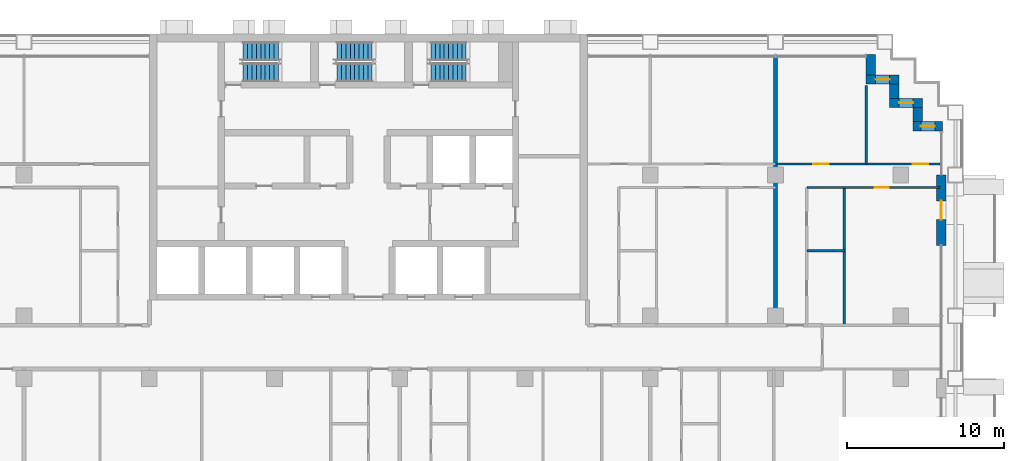
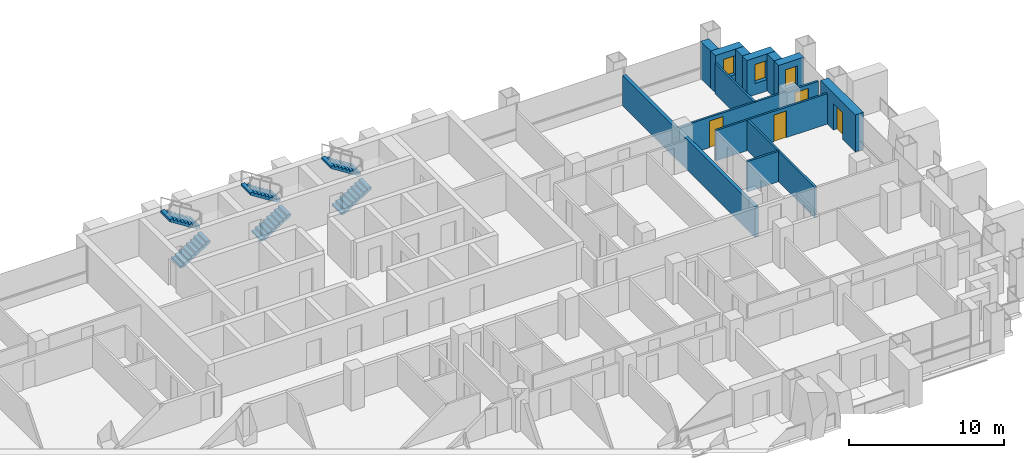
# One storey, part 14 of 18: 13 walls, 6 stair flights, 4 doors, 3 windows, 7 openings, 3 elements without a shape of their own.
"""IFC4 building model written with IfcOpenShell, lengths in metres."""

import ifcopenshell
import ifcopenshell.guid

model = None  # the IFC model being written
_history = None  # IfcOwnerHistory: only IFC2X3 demands one
_inside = {}  # id of a spatial element -> (the spatial element, [elements in it])
_under = {}  # id of a project, library or spatial element -> (it, [spatial elements below it])
_declared = {}  # id of a project -> (the project, [libraries it declares])
_typed = {}  # id of a type object -> (the type object, [elements of that type])
_made_of = {}  # id of a material, layer set ... -> (it, [elements and type objects made of it])


def new_model(schema):
    """Start an empty IFC model of exactly this schema.

    Asked for "IFC4X3", IfcOpenShell would pick the latest addendum, in which some entities
    have other attributes; the version numbers below select the first issue.
    IFC2X3 requires an IfcOwnerHistory on every rooted entity: one is made here for all.
    """
    global model, _history
    if schema == "IFC4X3":
        model = ifcopenshell.file(schema_version=(4, 3, 0, 0))
    else:
        model = ifcopenshell.file(schema=schema)
    _inside.clear()
    _under.clear()
    _declared.clear()
    _typed.clear()
    _made_of.clear()
    _history = None
    if model.schema == "IFC2X3":
        org = make("IfcOrganization", Name="unknown")
        user = make(
            "IfcPersonAndOrganization",
            ThePerson=make("IfcPerson", FamilyName="unknown"),
            TheOrganization=org,
        )
        app = make(
            "IfcApplication",
            ApplicationDeveloper=org,
            Version="unknown",
            ApplicationFullName="unknown",
            ApplicationIdentifier="unknown",
        )
        _history = make(
            "IfcOwnerHistory",
            OwningUser=user,
            OwningApplication=app,
            ChangeAction="ADDED",
            CreationDate=0,
        )
    return model


def make(cls, **values):
    """One entity of the class cls with the attributes given. An attribute that is None is left unset."""
    return model.create_entity(
        cls, **{name: value for name, value in values.items() if value is not None}
    )


def rooted(cls, **values):
    """An entity with a GlobalId (a new one), such as an element, a storey or a relation."""
    return make(cls, GlobalId=ifcopenshell.guid.new(), OwnerHistory=_history, **values)


def si_unit(unit_type, name, prefix=None):
    """IfcSIUnit, for example si_unit("LENGTHUNIT", "METRE", prefix="MILLI")."""
    return make("IfcSIUnit", UnitType=unit_type, Prefix=prefix, Name=name)


def assignment(units):
    """IfcUnitAssignment: the units of a project."""
    return None if units is None else make("IfcUnitAssignment", Units=units)


def point(xyz):
    """IfcCartesianPoint."""
    return None if xyz is None else make("IfcCartesianPoint", Coordinates=xyz)


def direction(xyz):
    """IfcDirection."""
    return None if xyz is None else make("IfcDirection", DirectionRatios=xyz)


def frame(location, z_axis=None, x_axis=None):
    """IfcAxis2Placement3D, a coordinate frame: its origin and axes. An axis left out is left unset."""
    return make(
        "IfcAxis2Placement3D",
        Location=point(location),
        Axis=direction(z_axis),
        RefDirection=direction(x_axis),
    )


def frame_2d(location, x_axis=None):
    """IfcAxis2Placement2D, a coordinate frame in the plane: its origin and x axis."""
    return make(
        "IfcAxis2Placement2D", Location=point(location), RefDirection=direction(x_axis)
    )


def origin():
    """The frame at (0, 0, 0) with its axes left unset."""
    return frame((0.0, 0.0, 0.0))


def place(relative_to, where):
    """IfcLocalPlacement: puts the frame where relative to a parent placement (None: the world)."""
    return make(
        "IfcLocalPlacement", PlacementRelTo=relative_to, RelativePlacement=where
    )


def context(
    kind, dimensions, precision=None, world=None, true_north=None, identifier=None
):
    """IfcGeometricRepresentationContext, for example the 3D "Model" context."""
    return make(
        "IfcGeometricRepresentationContext",
        ContextIdentifier=identifier,
        ContextType=kind,
        CoordinateSpaceDimension=dimensions,
        Precision=precision,
        WorldCoordinateSystem=world,
        TrueNorth=true_north,
    )


def subcontext(parent, identifier, kind, view, scale=None):
    """IfcGeometricRepresentationSubContext, for example "Body" below "Model"."""
    return make(
        "IfcGeometricRepresentationSubContext",
        ContextIdentifier=identifier,
        ContextType=kind,
        ParentContext=parent,
        TargetScale=scale,
        TargetView=view,
    )


def project(units=None, contexts=None):
    """IfcProject with its units and contexts."""
    return rooted(
        "IfcProject",
        Name="project",
        RepresentationContexts=contexts,
        UnitsInContext=assignment(units),
    )


def spatial(cls, under=None, at=None, **own):
    """A site, building, storey or space (cls), placed at a placement, below another one or the project."""
    s = rooted(cls, ObjectPlacement=at, **own)
    if under is not None:
        _under.setdefault(under.id(), (under, []))[1].append(s)
    return s


def polyline(points):
    """IfcPolyline through the points."""
    return make("IfcPolyline", Points=[point(p) for p in points])


def profile(cls, at=None, kind="AREA", **sizes):
    """A parametric profile (cls). Its sizes go by their IFC names, for example OverallWidth=200.0."""
    return make(cls, ProfileType=kind, Position=at, **sizes)


def rectangle(**sizes):
    """IfcRectangleProfileDef."""
    return profile("IfcRectangleProfileDef", **sizes)


def outline(outer, holes=None, kind="AREA"):
    """IfcArbitraryClosedProfileDef: a profile drawn as a closed curve; with holes, ...WithVoids."""
    if holes is None:
        return make("IfcArbitraryClosedProfileDef", ProfileType=kind, OuterCurve=outer)
    return make(
        "IfcArbitraryProfileDefWithVoids",
        ProfileType=kind,
        OuterCurve=outer,
        InnerCurves=holes,
    )


def extrude(swept, where, along, depth):
    """IfcExtrudedAreaSolid: the profile swept, set in the frame where, extruded along a direction by depth."""
    return make(
        "IfcExtrudedAreaSolid",
        SweptArea=swept,
        Position=where,
        ExtrudedDirection=direction(along),
        Depth=depth,
    )


def shape(context_of_items, identifier, shape_type, items):
    """IfcShapeRepresentation: the items that make up one representation, for example the "Body"."""
    return make(
        "IfcShapeRepresentation",
        ContextOfItems=context_of_items,
        RepresentationIdentifier=identifier,
        RepresentationType=shape_type,
        Items=items,
    )


def material(Name=None, Category=None):
    """IfcMaterial."""
    return make("IfcMaterial", Name=Name, Category=Category)


def layer(
    of_material, thickness, ventilated=None, Name=None, Category=None, Priority=None
):
    """IfcMaterialLayer: one layer of a wall or slab, of a material (None: an air gap)."""
    return make(
        "IfcMaterialLayer",
        Material=of_material,
        LayerThickness=thickness,
        IsVentilated=ventilated,
        Name=Name,
        Category=Category,
        Priority=Priority,
    )


def layer_set(layers, Name=None):
    """IfcMaterialLayerSet."""
    return make("IfcMaterialLayerSet", MaterialLayers=layers, LayerSetName=Name)


def made_of(thing, what):
    """Note that an element or type object is made of a material, layer set ...; save() writes the relation."""
    if what is not None:
        _made_of.setdefault(what.id(), (what, []))[1].append(thing)
    return thing


def type_object(cls, material=None, **own):
    """A type object (cls), such as IfcWallType, which elements share."""
    return made_of(rooted(cls, **own), material)


def element(
    cls,
    number,
    at=None,
    inside=None,
    cuts=None,
    type_object=None,
    material=None,
    context=None,
    identifier="Body",
    shape_type=None,
    held_by="IfcProductDefinitionShape",
    body=None,
    shapes=None,
    **own,
):
    """One element of the class cls, such as IfcWall. Its Tag is "e" and its number.

    at: its placement. inside: the storey or other place that contains it. cuts: it is an
    opening in that element (IfcRelVoidsElement). A single representation is given by context,
    identifier, shape_type and body (its items); several are given by shapes. held_by: the class
    of the entity that holds the representations. save() writes the other relations.
    """
    e = rooted(cls, Tag="e%d" % number, ObjectPlacement=at, **own)
    if body is not None:
        shapes = [shape(context, identifier, shape_type, body)]
    if shapes is not None:
        e.Representation = make(held_by, Representations=shapes)
    if inside is not None:
        _inside.setdefault(inside.id(), (inside, []))[1].append(e)
    if cuts is not None:
        rooted(
            "IfcRelVoidsElement", RelatingBuildingElement=cuts, RelatedOpeningElement=e
        )
    if type_object is not None:
        _typed.setdefault(type_object.id(), (type_object, []))[1].append(e)
    return made_of(e, material)


def fill(opening, filler):
    """IfcRelFillsElement: the door or window that sits in an opening."""
    return rooted(
        "IfcRelFillsElement",
        RelatingOpeningElement=opening,
        RelatedBuildingElement=filler,
    )


def aggregate(whole, parts):
    """IfcRelAggregates: a whole, such as a stair, and the parts it consists of."""
    return rooted("IfcRelAggregates", RelatingObject=whole, RelatedObjects=parts)


def save(model, path):
    """Write the relations noted so far, then the file.

    IfcRelAggregates (storeys below a building ...), IfcRelContainedInSpatialStructure (elements
    in a storey), IfcRelDefinesByType, IfcRelAssociatesMaterial and IfcRelDeclares: one each for
    every whole, place, type object, material and project.
    """
    for whole, parts in _under.values():
        aggregate(whole, parts)
    for where, things in _inside.values():
        rooted(
            "IfcRelContainedInSpatialStructure",
            RelatedElements=things,
            RelatingStructure=where,
        )
    for kind, things in _typed.values():
        rooted("IfcRelDefinesByType", RelatedObjects=things, RelatingType=kind)
    for what, things in _made_of.values():
        rooted("IfcRelAssociatesMaterial", RelatedObjects=things, RelatingMaterial=what)
    for by, libraries in _declared.values():
        rooted("IfcRelDeclares", RelatingContext=by, RelatedDefinitions=libraries)
    model.write(path)


model = new_model("IFC4")

# Units and contexts
model_context = context("Model", 3, precision=1e-05, world=origin(), true_north=direction((0.0, 1.0)))
body_context = subcontext(model_context, "Body", "Model", "MODEL_VIEW")
ifc_project = project(units=[si_unit("LENGTHUNIT", "METRE"), si_unit("AREAUNIT", "SQUARE_METRE"), si_unit("VOLUMEUNIT", "CUBIC_METRE"), si_unit("PLANEANGLEUNIT", "RADIAN"), si_unit("MASSUNIT", "GRAM", prefix="KILO")], contexts=[model_context])

# Site, building, storey
site_placement = place(None, origin())
site = spatial("IfcSite", under=ifc_project, at=site_placement, CompositionType="ELEMENT")
building_placement = place(site_placement, origin())
building = spatial("IfcBuilding", under=site, at=building_placement, Name="Vidyagriha Tower", CompositionType="ELEMENT")
storey_placement = place(building_placement, frame((0.0, 0.0, 48.0)))
storey = spatial("IfcBuildingStorey", under=building, at=storey_placement, Name="L12", CompositionType="ELEMENT", Elevation=48.0)

# Wall, opening, window
ifc_material_1 = material(Name="Precast concrete C40/50 with brick facing", Category="concrete")
ifc_layer_1 = layer(ifc_material_1, 0.60009765625)
ifc_layer_set_1 = layer_set([ifc_layer_1], Name="Precast concrete C40/50 with brick facing")
wall_type_1 = type_object("IfcWallType", Name="Brick-faced precast wall 600", PredefinedType="STANDARD", material=ifc_layer_set_1)
wall_1_placement = place(storey_placement, frame((36.679931640625, 14.10009765625, 0.0), z_axis=(0.0, 0.0, 1.0), x_axis=(-1.0, 0.0, 0.0)))
wall_1 = element("IfcWall", 1, at=wall_1_placement, inside=storey, type_object=wall_type_1, Name="Stepped corner wall L12 R01", PredefinedType="STANDARD", context=body_context, shape_type="SweptSolid", body=[
    extrude(rectangle(XDim=1.8798828125, YDim=0.60009765625, at=frame_2d((0.93994140625, 0.0))), origin(), (0.0, 0.0, 1.0), 2.919921875),
])
opening_1_placement = place(wall_1_placement, frame((0.489990234375, 0.0, 0.89990234375)))
opening_1 = element("IfcOpeningElement", 2, at=opening_1_placement, cuts=wall_1, Name="Opening WN1", PredefinedType="OPENING", context=body_context, shape_type="SweptSolid", body=[
    extrude(rectangle(XDim=0.89990234375, YDim=1.5, at=frame_2d((0.449951171875, 0.75))), frame((0.0, 0.31005859375, 0.0), z_axis=(0.0, -1.0, 0.0), x_axis=(1.0, 0.0, 0.0)), (0.0, 0.0, 1.0), 0.6201171875),
])
ifc_material_2 = material(Name="Aluminium and glass window", Category="aluminium")
window_type = type_object("IfcWindowType", Name="Reveal window 900x1500", PartitioningType="NOTDEFINED", PredefinedType="WINDOW", material=ifc_material_2)
window_1_placement = place(opening_1_placement, origin())
window_1 = element("IfcWindow", 3, at=window_1_placement, inside=storey, type_object=window_type, Name="Reveal window L12 R01", OverallHeight=1.5, OverallWidth=0.89990234375, PartitioningType="SINGLE_PANEL", PredefinedType="WINDOW", context=body_context, shape_type="SweptSolid", body=[
    extrude(rectangle(XDim=0.89990234375, YDim=1.5, at=frame_2d((0.449951171875, 0.75))), frame((0.0, 0.030029296875, 0.0), z_axis=(0.0, -1.0, 0.0), x_axis=(1.0, 0.0, 0.0)), (0.0, 0.0, 1.0), 0.06005859375),
])
fill(opening_1, window_1)

# Wall
wall_2_placement = place(storey_placement, frame((35.10009765625, 14.39990234375, 0.0), z_axis=(0.0, 0.0, 1.0), x_axis=(0.0, 1.0, 0.0)))
element("IfcWall", 4, at=wall_2_placement, inside=storey, type_object=wall_type_1, Name="Stepped corner wall L12 R02", PredefinedType="STANDARD", context=body_context, shape_type="SweptSolid", body=[
    extrude(rectangle(XDim=0.900146484375, YDim=0.60009765625, at=frame_2d((0.4501953125, 0.0))), origin(), (0.0, 0.0, 1.0), 2.919921875),
])

# Wall, opening, window
wall_3_placement = place(storey_placement, frame((35.39990234375, 15.60009765625, 0.0), z_axis=(0.0, 0.0, 1.0), x_axis=(-1.0, 0.0, 0.0)))
wall_3 = element("IfcWall", 5, at=wall_3_placement, inside=storey, type_object=wall_type_1, Name="Stepped corner wall L12 R03", PredefinedType="STANDARD", context=body_context, shape_type="SweptSolid", body=[
    extrude(rectangle(XDim=2.099853515625, YDim=0.60009765625, at=frame_2d((1.0498046875, 0.0))), origin(), (0.0, 0.0, 1.0), 2.919921875),
])
opening_2_placement = place(wall_3_placement, frame((0.60009765625, 0.0, 0.89990234375)))
opening_2 = element("IfcOpeningElement", 6, at=opening_2_placement, cuts=wall_3, Name="Opening WN1", PredefinedType="OPENING", context=body_context, shape_type="SweptSolid", body=[
    extrude(rectangle(XDim=0.89990234375, YDim=1.5, at=frame_2d((0.449951171875, 0.75))), frame((0.0, 0.31005859375, 0.0), z_axis=(0.0, -1.0, 0.0), x_axis=(1.0, 0.0, 0.0)), (0.0, 0.0, 1.0), 0.6201171875),
])
window_2_placement = place(opening_2_placement, origin())
window_2 = element("IfcWindow", 7, at=window_2_placement, inside=storey, type_object=window_type, Name="Reveal window L12 R03", OverallHeight=1.5, OverallWidth=0.89990234375, PartitioningType="SINGLE_PANEL", PredefinedType="WINDOW", context=body_context, shape_type="SweptSolid", body=[
    extrude(rectangle(XDim=0.89990234375, YDim=1.5, at=frame_2d((0.449951171875, 0.75))), frame((0.0, 0.030029296875, 0.0), z_axis=(0.0, -1.0, 0.0), x_axis=(1.0, 0.0, 0.0)), (0.0, 0.0, 1.0), 0.06005859375),
])
fill(opening_2, window_2)

# Wall
wall_4_placement = place(storey_placement, frame((33.60009765625, 15.89990234375, 0.0), z_axis=(0.0, 0.0, 1.0), x_axis=(0.0, 1.0, 0.0)))
element("IfcWall", 8, at=wall_4_placement, inside=storey, type_object=wall_type_1, Name="Stepped corner wall L12 R04", PredefinedType="STANDARD", context=body_context, shape_type="SweptSolid", body=[
    extrude(rectangle(XDim=0.900146484375, YDim=0.60009765625, at=frame_2d((0.4501953125, 0.0))), origin(), (0.0, 0.0, 1.0), 2.919921875),
])

# Wall, opening, window
wall_5_placement = place(storey_placement, frame((33.89990234375, 17.10009765625, 0.0), z_axis=(0.0, 0.0, 1.0), x_axis=(-1.0, 0.0, 0.0)))
wall_5 = element("IfcWall", 9, at=wall_5_placement, inside=storey, type_object=wall_type_1, Name="Stepped corner wall L12 R05", PredefinedType="STANDARD", context=body_context, shape_type="SweptSolid", body=[
    extrude(rectangle(XDim=2.099853515625, YDim=0.60009765625, at=frame_2d((1.0498046875, 0.0))), origin(), (0.0, 0.0, 1.0), 2.919921875),
])
opening_3_placement = place(wall_5_placement, frame((0.60009765625, 0.0, 0.89990234375)))
opening_3 = element("IfcOpeningElement", 10, at=opening_3_placement, cuts=wall_5, Name="Opening WN1", PredefinedType="OPENING", context=body_context, shape_type="SweptSolid", body=[
    extrude(rectangle(XDim=0.89990234375, YDim=1.5, at=frame_2d((0.449951171875, 0.75))), frame((0.0, 0.31005859375, 0.0), z_axis=(0.0, -1.0, 0.0), x_axis=(1.0, 0.0, 0.0)), (0.0, 0.0, 1.0), 0.6201171875),
])
window_3_placement = place(opening_3_placement, origin())
window_3 = element("IfcWindow", 11, at=window_3_placement, inside=storey, type_object=window_type, Name="Reveal window L12 R05", OverallHeight=1.5, OverallWidth=0.89990234375, PartitioningType="SINGLE_PANEL", PredefinedType="WINDOW", context=body_context, shape_type="SweptSolid", body=[
    extrude(rectangle(XDim=0.89990234375, YDim=1.5, at=frame_2d((0.449951171875, 0.75))), frame((0.0, 0.030029296875, 0.0), z_axis=(0.0, -1.0, 0.0), x_axis=(1.0, 0.0, 0.0)), (0.0, 0.0, 1.0), 0.06005859375),
])
fill(opening_3, window_3)

# Wall
wall_6_placement = place(storey_placement, frame((32.10009765625, 17.39990234375, 0.0), z_axis=(0.0, 0.0, 1.0), x_axis=(0.0, 1.0, 0.0)))
element("IfcWall", 12, at=wall_6_placement, inside=storey, type_object=wall_type_1, Name="Stepped corner wall L12 R06", PredefinedType="STANDARD", context=body_context, shape_type="SweptSolid", body=[
    extrude(rectangle(XDim=1.280029296875, YDim=0.60009765625, at=frame_2d((0.64013671875, 0.0))), origin(), (0.0, 0.0, 1.0), 2.919921875),
])

# Wall, opening, door
wall_7_placement = place(storey_placement, frame((36.60009765625, 6.5, 0.0), z_axis=(0.0, 0.0, 1.0), x_axis=(0.0, 1.0, 0.0)))
wall_7 = element("IfcWall", 13, at=wall_7_placement, inside=storey, type_object=wall_type_1, Name="Brick door bay wall L12 R30.6", PredefinedType="STANDARD", context=body_context, shape_type="SweptSolid", body=[
    extrude(rectangle(XDim=4.5, YDim=0.60009765625, at=frame_2d((2.25, 0.0))), origin(), (0.0, 0.0, 1.0), 2.919921875),
])
opening_4_placement = place(wall_7_placement, frame((1.64990234375, 0.0, 0.0)))
opening_4 = element("IfcOpeningElement", 14, at=opening_4_placement, cuts=wall_7, Name="Opening D12-85", PredefinedType="OPENING", context=body_context, shape_type="SweptSolid", body=[
    extrude(rectangle(XDim=1.199951171875, YDim=2.10009765625, at=frame_2d((0.60009765625, 1.050048828125))), frame((0.0, 0.31005859375, 0.0), z_axis=(0.0, -1.0, 0.0), x_axis=(1.0, 0.0, 0.0)), (0.0, 0.0, 1.0), 0.6201171875),
])
ifc_material_3 = material(Name="Aluminium framed glazed sliding door", Category="aluminium")
door_type_1 = type_object("IfcDoorType", Name="Balcony sliding door 1200x2100", OperationType="NOTDEFINED", PredefinedType="DOOR", material=ifc_material_3)
door_1_placement = place(opening_4_placement, origin())
door_1 = element("IfcDoor", 15, at=door_1_placement, inside=storey, type_object=door_type_1, Name="Door D12-85", OperationType="SLIDING_TO_LEFT", OverallHeight=2.10009765625, OverallWidth=1.199951171875, PredefinedType="DOOR", context=body_context, shape_type="SweptSolid", body=[
    extrude(rectangle(XDim=1.199951171875, YDim=2.10009765625, at=frame_2d((0.60009765625, 1.050048828125))), frame((0.0, 0.02490234375, 0.0), z_axis=(0.0, -1.0, 0.0), x_axis=(1.0, 0.0, 0.0)), (0.0, 0.0, 1.0), 0.050048828125),
])
fill(opening_4, door_1)

# Walls
ifc_material_4 = material(Name="Fired clay brick masonry", Category="masonry")
ifc_layer_2 = layer(ifc_material_4, 0.25)
ifc_layer_set_2 = layer_set([ifc_layer_2], Name="Fired clay brick masonry")
wall_type_2 = type_object("IfcWallType", Name="Fired clay brick demising wall 250", PredefinedType="PARTITIONING", material=ifc_layer_set_2)
wall_8_placement = place(storey_placement, frame((26.0, 18.52099609375, 0.0), z_axis=(0.0, 0.0, 1.0), x_axis=(0.0, -1.0, 0.0)))
element("IfcWall", 16, at=wall_8_placement, inside=storey, type_object=wall_type_2, Name="Wall all-L12-w130", PredefinedType="PARTITIONING", context=body_context, shape_type="SweptSolid", body=[
    extrude(rectangle(XDim=17.12109375, YDim=0.25, at=frame_2d((8.560546875, 0.0))), origin(), (0.0, 0.0, 1.0), 2.39990234375),
])
ifc_material_5 = material(Name="Gypsum board partition")
ifc_layer_3 = layer(ifc_material_5, 0.14990234375)
ifc_layer_set_3 = layer_set([ifc_layer_3], Name="Gypsum board partition")
wall_type_3 = type_object("IfcWallType", Name="Gypsum board partition 150", PredefinedType="PARTITIONING", material=ifc_layer_set_3)
wall_9_placement = place(storey_placement, frame((28.0, 6.14990234375, 0.0)))
element("IfcWall", 17, at=wall_9_placement, inside=storey, type_object=wall_type_3, Name="Wall all-L12-w121", PredefinedType="PARTITIONING", context=body_context, shape_type="SweptSolid", body=[
    extrude(rectangle(XDim=2.39990234375, YDim=0.14990234375, at=frame_2d((1.199951171875, 0.0))), origin(), (0.0, 0.0, 1.0), 2.39990234375),
])
wall_10_placement = place(storey_placement, frame((30.39990234375, 10.199951171875, 0.0), z_axis=(0.0, 0.0, 1.0), x_axis=(0.0, -1.0, 0.0)))
element("IfcWall", 18, at=wall_10_placement, inside=storey, type_object=wall_type_3, Name="Wall all-L12-w122", PredefinedType="PARTITIONING", context=body_context, shape_type="SweptSolid", body=[
    extrude(rectangle(XDim=8.800048828125, YDim=0.14990234375, at=frame_2d((4.39990234375, 0.0))), origin(), (0.0, 0.0, 1.0), 2.39990234375),
])

# Wall, opening, door
wall_11_placement = place(storey_placement, frame((36.510009765625, 10.199951171875, 0.0), z_axis=(0.0, 0.0, 1.0), x_axis=(-1.0, 0.0, 0.0)))
wall_11 = element("IfcWall", 19, at=wall_11_placement, inside=storey, type_object=wall_type_3, Name="Wall all-L12-w123", PredefinedType="PARTITIONING", context=body_context, shape_type="SweptSolid", body=[
    extrude(rectangle(XDim=8.510009765625, YDim=0.14990234375, at=frame_2d((4.2548828125, 0.0))), origin(), (0.0, 0.0, 1.0), 2.39990234375),
])
opening_5_placement = place(wall_11_placement, frame((3.27001953125, 0.0, 0.0)))
opening_5 = element("IfcOpeningElement", 20, at=opening_5_placement, cuts=wall_11, Name="Opening D12-69", PredefinedType="OPENING", context=body_context, shape_type="SweptSolid", body=[
    extrude(rectangle(XDim=0.89990234375, YDim=2.10009765625, at=frame_2d((0.449951171875, 1.050048828125))), frame((0.0, 0.0849609375, 0.0), z_axis=(0.0, -1.0, 0.0), x_axis=(1.0, 0.0, 0.0)), (0.0, 0.0, 1.0), 0.169921875),
])
ifc_material_6 = material(Name="Timber door leaf", Category="wood")
door_type_2 = type_object("IfcDoorType", Name="Room door 900x2100", OperationType="NOTDEFINED", PredefinedType="DOOR", material=ifc_material_6)
door_2_placement = place(opening_5_placement, origin())
door_2 = element("IfcDoor", 21, at=door_2_placement, inside=storey, type_object=door_type_2, Name="Door D12-69", OperationType="SINGLE_SWING_RIGHT", OverallHeight=2.10009765625, OverallWidth=0.89990234375, PredefinedType="DOOR", context=body_context, shape_type="SweptSolid", body=[
    extrude(rectangle(XDim=0.89990234375, YDim=2.10009765625, at=frame_2d((0.449951171875, 1.050048828125))), frame((0.0, 0.02490234375, 0.0), z_axis=(0.0, -1.0, 0.0), x_axis=(1.0, 0.0, 0.0)), (0.0, 0.0, 1.0), 0.050048828125),
])
fill(opening_5, door_2)

# Wall, openings, doors
wall_12_placement = place(storey_placement, frame((26.0, 11.699951171875, 0.0)))
wall_12 = element("IfcWall", 22, at=wall_12_placement, inside=storey, type_object=wall_type_3, Name="Wall all-L12-w125", PredefinedType="PARTITIONING", context=body_context, shape_type="SweptSolid", body=[
    extrude(rectangle(XDim=10.52001953125, YDim=0.14990234375, at=frame_2d((5.260009765625, 0.0))), origin(), (0.0, 0.0, 1.0), 2.39990234375),
])
opening_6_placement = place(wall_12_placement, frame((2.39990234375, 0.0, 0.0)))
opening_6 = element("IfcOpeningElement", 23, at=opening_6_placement, cuts=wall_12, Name="Opening D12-70", PredefinedType="OPENING", context=body_context, shape_type="SweptSolid", body=[
    extrude(rectangle(XDim=1.0, YDim=2.10009765625, at=frame_2d((0.5, 1.050048828125))), frame((0.0, 0.0849609375, 0.0), z_axis=(0.0, -1.0, 0.0), x_axis=(1.0, 0.0, 0.0)), (0.0, 0.0, 1.0), 0.169921875),
])
opening_7_placement = place(wall_12_placement, frame((8.760009765625, 0.0, 0.0)))
opening_7 = element("IfcOpeningElement", 24, at=opening_7_placement, cuts=wall_12, Name="Opening D12-71", PredefinedType="OPENING", context=body_context, shape_type="SweptSolid", body=[
    extrude(rectangle(XDim=1.0, YDim=2.10009765625, at=frame_2d((0.5, 1.050048828125))), frame((0.0, 0.0849609375, 0.0), z_axis=(0.0, -1.0, 0.0), x_axis=(1.0, 0.0, 0.0)), (0.0, 0.0, 1.0), 0.169921875),
])
ifc_material_7 = material(Name="Timber door leaf", Category="wood")
door_type_3 = type_object("IfcDoorType", Name="Room door 1000x2100", OperationType="NOTDEFINED", PredefinedType="DOOR", material=ifc_material_7)
door_3_placement = place(opening_6_placement, origin())
door_3 = element("IfcDoor", 25, at=door_3_placement, inside=storey, type_object=door_type_3, Name="Door D12-70", OperationType="SINGLE_SWING_LEFT", OverallHeight=2.10009765625, OverallWidth=1.0, PredefinedType="DOOR", context=body_context, shape_type="SweptSolid", body=[
    extrude(rectangle(XDim=1.0, YDim=2.10009765625, at=frame_2d((0.5, 1.050048828125))), frame((0.0, 0.02490234375, 0.0), z_axis=(0.0, -1.0, 0.0), x_axis=(1.0, 0.0, 0.0)), (0.0, 0.0, 1.0), 0.050048828125),
])
fill(opening_6, door_3)
door_4_placement = place(opening_7_placement, origin())
door_4 = element("IfcDoor", 26, at=door_4_placement, inside=storey, type_object=door_type_3, Name="Door D12-71", OperationType="SINGLE_SWING_RIGHT", OverallHeight=2.10009765625, OverallWidth=1.0, PredefinedType="DOOR", context=body_context, shape_type="SweptSolid", body=[
    extrude(rectangle(XDim=1.0, YDim=2.10009765625, at=frame_2d((0.5, 1.050048828125))), frame((0.0, 0.02490234375, 0.0), z_axis=(0.0, -1.0, 0.0), x_axis=(1.0, 0.0, 0.0)), (0.0, 0.0, 1.0), 0.050048828125),
])
fill(opening_7, door_4)

# Wall
wall_13_placement = place(storey_placement, frame((31.800048828125, 16.719970703125, 0.0), z_axis=(0.0, 0.0, 1.0), x_axis=(0.0, -1.0, 0.0)))
element("IfcWall", 27, at=wall_13_placement, inside=storey, type_object=wall_type_3, Name="Wall all-L12-w128", PredefinedType="PARTITIONING", context=body_context, shape_type="SweptSolid", body=[
    extrude(rectangle(XDim=5.02001953125, YDim=0.14990234375, at=frame_2d((2.510009765625, 0.0))), origin(), (0.0, 0.0, 1.0), 2.39990234375),
])

# Stair, stair flights
ifc_material_8 = material(Name="Concrete C40/50", Category="concrete")
stair_type = type_object("IfcStairType", Name="Exit stair, half-turn, precast flights", PredefinedType="HALF_TURN_STAIR", material=ifc_material_8)
stair_1_placement = place(storey_placement, origin())
stair_1 = element("IfcStair", 28, at=stair_1_placement, inside=storey, type_object=stair_type, Name="L12 Exit Stair ST1", PredefinedType="HALF_TURN_STAIR")
ifc_material_9 = material(Name="Precast concrete C40/50", Category="concrete")
stair_flight_type = type_object("IfcStairFlightType", Name="Exit stair flight 1200 mm, precast", PredefinedType="STRAIGHT", material=ifc_material_9)
stair_flight_1_placement = place(storey_placement, frame((-8.0, 17.550048828125, 0.0)))
stair_flight_1 = element("IfcStairFlight", 29, at=stair_flight_1_placement, type_object=stair_flight_type, Name="ST1 flight 1", NumberOfRisers=9, NumberOfTreads=8, PredefinedType="STRAIGHT", RiserHeight=0.177777778, TreadLength=0.28, context=body_context, shape_type="SweptSolid", body=[
    extrude(outline(polyline([(0.0, 0.0), (0.0, 0.177734375), (0.280029296875, 0.177734375), (0.280029296875, 0.35546875), (0.56005859375, 0.35546875), (0.56005859375, 0.533447265625), (0.840087890625, 0.533447265625), (0.840087890625, 0.711181640625), (1.1201171875, 0.711181640625), (1.1201171875, 0.888916015625), (1.39990234375, 0.888916015625), (1.39990234375, 1.066650390625), (1.679931640625, 1.066650390625), (1.679931640625, 1.244384765625), (1.9599609375, 1.244384765625), (1.9599609375, 1.422119140625), (2.239990234375, 1.422119140625), (2.239990234375, 1.60009765625), (2.239990234375, 1.24462890625), (0.27978515625, 0.0), (0.0, 0.0)])), frame((0.0, 0.60009765625, 0.0), z_axis=(0.0, -1.0, 0.0), x_axis=(1.0, 0.0, 0.0)), (0.0, 0.0, 1.0), 1.199951171875),
])
stair_flight_2_placement = place(storey_placement, frame((-5.760009765625, 18.89990234375, 1.60009765625), z_axis=(0.0, 0.0, 1.0), x_axis=(-1.0, 0.0, 0.0)))
stair_flight_2 = element("IfcStairFlight", 30, at=stair_flight_2_placement, type_object=stair_flight_type, Name="ST1 flight 2", NumberOfRisers=9, NumberOfTreads=8, PredefinedType="STRAIGHT", RiserHeight=0.177777778, TreadLength=0.28, context=body_context, shape_type="SweptSolid", body=[
    extrude(outline(polyline([(0.0, 0.0), (0.0, 0.177734375), (0.280029296875, 0.177734375), (0.280029296875, 0.35546875), (0.56005859375, 0.35546875), (0.56005859375, 0.533447265625), (0.840087890625, 0.533447265625), (0.840087890625, 0.711181640625), (1.1201171875, 0.711181640625), (1.1201171875, 0.888916015625), (1.39990234375, 0.888916015625), (1.39990234375, 1.066650390625), (1.679931640625, 1.066650390625), (1.679931640625, 1.244384765625), (1.9599609375, 1.244384765625), (1.9599609375, 1.422119140625), (2.239990234375, 1.422119140625), (2.239990234375, 1.60009765625), (2.239990234375, 1.24462890625), (0.27978515625, 0.0), (0.0, 0.0)])), frame((0.0, 0.60009765625, 0.0), z_axis=(0.0, -1.0, 0.0), x_axis=(1.0, 0.0, 0.0)), (0.0, 0.0, 1.0), 1.199951171875),
])
aggregate(stair_1, [stair_flight_1, stair_flight_2])

stair_2_placement = place(storey_placement, origin())
stair_2 = element("IfcStair", 31, at=stair_2_placement, inside=storey, type_object=stair_type, Name="L12 Exit Stair ST2", PredefinedType="HALF_TURN_STAIR")
stair_flight_3_placement = place(storey_placement, frame((-2.0, 17.550048828125, 0.0)))
stair_flight_3 = element("IfcStairFlight", 32, at=stair_flight_3_placement, type_object=stair_flight_type, Name="ST2 flight 1", NumberOfRisers=9, NumberOfTreads=8, PredefinedType="STRAIGHT", RiserHeight=0.177777778, TreadLength=0.28, context=body_context, shape_type="SweptSolid", body=[
    extrude(outline(polyline([(0.0, 0.0), (0.0, 0.177734375), (0.280029296875, 0.177734375), (0.280029296875, 0.35546875), (0.56005859375, 0.35546875), (0.56005859375, 0.533447265625), (0.840087890625, 0.533447265625), (0.840087890625, 0.711181640625), (1.1201171875, 0.711181640625), (1.1201171875, 0.888916015625), (1.39990234375, 0.888916015625), (1.39990234375, 1.066650390625), (1.679931640625, 1.066650390625), (1.679931640625, 1.244384765625), (1.9599609375, 1.244384765625), (1.9599609375, 1.422119140625), (2.239990234375, 1.422119140625), (2.239990234375, 1.60009765625), (2.239990234375, 1.24462890625), (0.27978515625, 0.0), (0.0, 0.0)])), frame((0.0, 0.60009765625, 0.0), z_axis=(0.0, -1.0, 0.0), x_axis=(1.0, 0.0, 0.0)), (0.0, 0.0, 1.0), 1.199951171875),
])
stair_flight_4_placement = place(storey_placement, frame((0.239990234375, 18.89990234375, 1.60009765625), z_axis=(0.0, 0.0, 1.0), x_axis=(-1.0, 0.0, 0.0)))
stair_flight_4 = element("IfcStairFlight", 33, at=stair_flight_4_placement, type_object=stair_flight_type, Name="ST2 flight 2", NumberOfRisers=9, NumberOfTreads=8, PredefinedType="STRAIGHT", RiserHeight=0.177777778, TreadLength=0.28, context=body_context, shape_type="SweptSolid", body=[
    extrude(outline(polyline([(0.0, 0.0), (0.0, 0.177734375), (0.280029296875, 0.177734375), (0.280029296875, 0.35546875), (0.56005859375, 0.35546875), (0.56005859375, 0.533447265625), (0.840087890625, 0.533447265625), (0.840087890625, 0.711181640625), (1.1201171875, 0.711181640625), (1.1201171875, 0.888916015625), (1.39990234375, 0.888916015625), (1.39990234375, 1.066650390625), (1.679931640625, 1.066650390625), (1.679931640625, 1.244384765625), (1.9599609375, 1.244384765625), (1.9599609375, 1.422119140625), (2.239990234375, 1.422119140625), (2.239990234375, 1.60009765625), (2.239990234375, 1.24462890625), (0.27978515625, 0.0), (0.0, 0.0)])), frame((0.0, 0.60009765625, 0.0), z_axis=(0.0, -1.0, 0.0), x_axis=(1.0, 0.0, 0.0)), (0.0, 0.0, 1.0), 1.199951171875),
])
aggregate(stair_2, [stair_flight_3, stair_flight_4])

stair_3_placement = place(storey_placement, origin())
stair_3 = element("IfcStair", 34, at=stair_3_placement, inside=storey, type_object=stair_type, Name="L12 Exit Stair ST3", PredefinedType="HALF_TURN_STAIR")
stair_flight_5_placement = place(storey_placement, frame((4.0, 17.550048828125, 0.0)))
stair_flight_5 = element("IfcStairFlight", 35, at=stair_flight_5_placement, type_object=stair_flight_type, Name="ST3 flight 1", NumberOfRisers=9, NumberOfTreads=8, PredefinedType="STRAIGHT", RiserHeight=0.177777778, TreadLength=0.28, context=body_context, shape_type="SweptSolid", body=[
    extrude(outline(polyline([(0.0, 0.0), (0.0, 0.177734375), (0.280029296875, 0.177734375), (0.280029296875, 0.35546875), (0.56005859375, 0.35546875), (0.56005859375, 0.533447265625), (0.840087890625, 0.533447265625), (0.840087890625, 0.711181640625), (1.1201171875, 0.711181640625), (1.1201171875, 0.888916015625), (1.39990234375, 0.888916015625), (1.39990234375, 1.066650390625), (1.679931640625, 1.066650390625), (1.679931640625, 1.244384765625), (1.9599609375, 1.244384765625), (1.9599609375, 1.422119140625), (2.239990234375, 1.422119140625), (2.239990234375, 1.60009765625), (2.239990234375, 1.24462890625), (0.27978515625, 0.0), (0.0, 0.0)])), frame((0.0, 0.60009765625, 0.0), z_axis=(0.0, -1.0, 0.0), x_axis=(1.0, 0.0, 0.0)), (0.0, 0.0, 1.0), 1.199951171875),
])
stair_flight_6_placement = place(storey_placement, frame((6.239990234375, 18.89990234375, 1.60009765625), z_axis=(0.0, 0.0, 1.0), x_axis=(-1.0, 0.0, 0.0)))
stair_flight_6 = element("IfcStairFlight", 36, at=stair_flight_6_placement, type_object=stair_flight_type, Name="ST3 flight 2", NumberOfRisers=9, NumberOfTreads=8, PredefinedType="STRAIGHT", RiserHeight=0.177777778, TreadLength=0.28, context=body_context, shape_type="SweptSolid", body=[
    extrude(outline(polyline([(0.0, 0.0), (0.0, 0.177734375), (0.280029296875, 0.177734375), (0.280029296875, 0.35546875), (0.56005859375, 0.35546875), (0.56005859375, 0.533447265625), (0.840087890625, 0.533447265625), (0.840087890625, 0.711181640625), (1.1201171875, 0.711181640625), (1.1201171875, 0.888916015625), (1.39990234375, 0.888916015625), (1.39990234375, 1.066650390625), (1.679931640625, 1.066650390625), (1.679931640625, 1.244384765625), (1.9599609375, 1.244384765625), (1.9599609375, 1.422119140625), (2.239990234375, 1.422119140625), (2.239990234375, 1.60009765625), (2.239990234375, 1.24462890625), (0.27978515625, 0.0), (0.0, 0.0)])), frame((0.0, 0.60009765625, 0.0), z_axis=(0.0, -1.0, 0.0), x_axis=(1.0, 0.0, 0.0)), (0.0, 0.0, 1.0), 1.199951171875),
])
aggregate(stair_3, [stair_flight_5, stair_flight_6])

save(model, "model.ifc")
